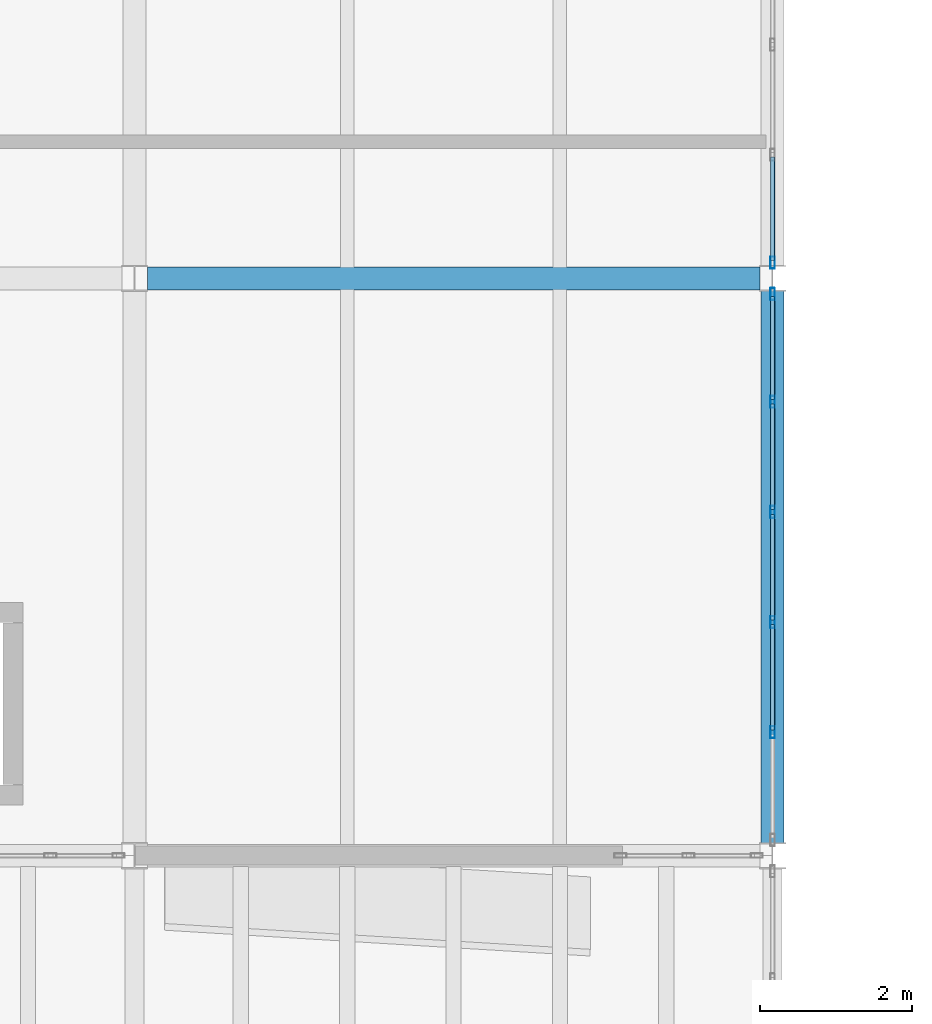
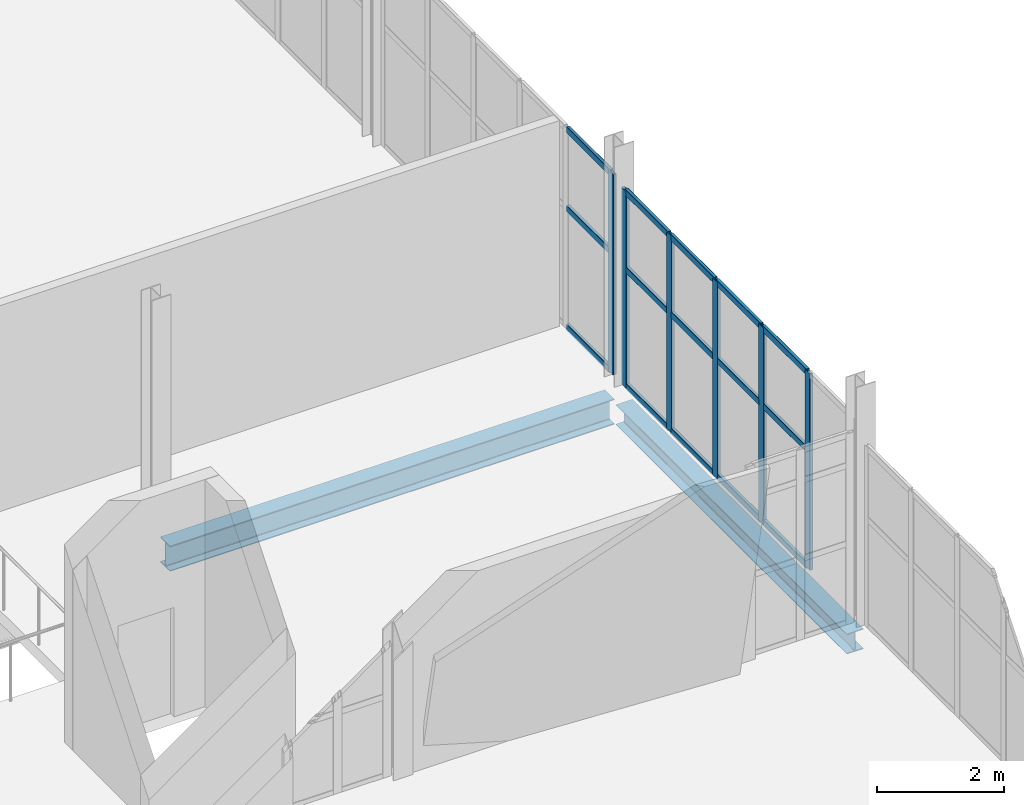
# One storey, part 27 of 136: 21 members, 2 beams, 2 elements without a shape of their own.
"""IFC4 building model written with IfcOpenShell, lengths in metres."""

from ifc_helpers import new_model, si_unit, direction, frame, origin, origin_2d, place, context, subcontext, project, spatial, hollow_rectangle, i_section, extrude, material, material_profile, profile_set, type_object, element, aggregate, save


model = new_model("IFC4")

# Units and contexts
model_context = context("Model", 3, precision=1e-05, world=origin(), true_north=direction((0.0, 1.0)))
body_context = subcontext(model_context, "Body", "Model", "MODEL_VIEW")
ifc_project = project(units=[si_unit("LENGTHUNIT", "METRE"), si_unit("AREAUNIT", "SQUARE_METRE"), si_unit("VOLUMEUNIT", "CUBIC_METRE"), si_unit("PLANEANGLEUNIT", "RADIAN"), si_unit("MASSUNIT", "GRAM", prefix="KILO")], contexts=[model_context])

# Site, building, storey
site_placement = place(None, origin())
site = spatial("IfcSite", under=ifc_project, at=site_placement, CompositionType="ELEMENT")
building_placement = place(site_placement, origin())
building = spatial("IfcBuilding", under=site, at=building_placement, Name="Shengluoqiao Park Theatre", CompositionType="ELEMENT")
storey_placement = place(building_placement, frame((0.0, 0.0, 10.0)))
storey = spatial("IfcBuildingStorey", under=building, at=storey_placement, Name="L02", CompositionType="ELEMENT", Elevation=10.0)

# Curtain wall, members
ifc_material_1 = material(Name="Aluminium 6063-T6", Category="aluminium")
curtain_wall_type = type_object("IfcCurtainWallType", Name="ENV-CW-COURT", PredefinedType="NOTDEFINED", material=ifc_material_1)
curtain_wall_1_placement = place(storey_placement, origin())
curtain_wall_1 = element("IfcCurtainWall", 1, at=curtain_wall_1_placement, inside=storey, type_object=curtain_wall_type, Name="L02 Curtain Wall CWX-L02-0027", PredefinedType="NOTDEFINED")
ifc_material_profile_1 = material_profile(ifc_material_1, hollow_rectangle(XDim=0.06005859375, YDim=0.159912109375, WallThickness=0.00390625, InnerFilletRadius=0.00390625, OuterFilletRadius=0.008056640625, at=origin_2d()), Name="ALU MULLION 160x60x4")
ifc_profile_set_1 = profile_set([ifc_material_profile_1], Name="Aluminium 6063-T6")
member_type_1 = type_object("IfcMemberType", Name="ENV-MUL-160", PredefinedType="MULLION", material=ifc_profile_set_1)
member_1_placement = place(storey_placement, frame((36.0, 32.025634765625, 0.0), z_axis=(0.0, 0.0, 1.0), x_axis=(-1.0, 0.0, 0.0)))
member_1 = element("IfcMember", 2, at=member_1_placement, type_object=member_type_1, Name="CW-05 mullion 2", PredefinedType="MULLION", context=body_context, shape_type="SweptSolid", body=[
    extrude(hollow_rectangle(XDim=0.06005859375, YDim=0.159912109375, WallThickness=0.00390625, InnerFilletRadius=0.00390625, OuterFilletRadius=0.008056640625, at=origin_2d()), origin(), (0.0, 0.0, 1.0), 3.77001953125),
])
member_2_placement = place(storey_placement, frame((36.0, 33.47509765625, 0.0), z_axis=(0.0, 0.0, 1.0), x_axis=(-1.0, 0.0, 0.0)))
member_2 = element("IfcMember", 3, at=member_2_placement, type_object=member_type_1, Name="CW-05 mullion 3", PredefinedType="MULLION", context=body_context, shape_type="SweptSolid", body=[
    extrude(hollow_rectangle(XDim=0.06005859375, YDim=0.159912109375, WallThickness=0.00390625, InnerFilletRadius=0.00390625, OuterFilletRadius=0.008056640625, at=origin_2d()), origin(), (0.0, 0.0, 1.0), 3.77001953125),
])
member_3_placement = place(storey_placement, frame((36.0, 34.9248046875, 0.0), z_axis=(0.0, 0.0, 1.0), x_axis=(-1.0, 0.0, 0.0)))
member_3 = element("IfcMember", 4, at=member_3_placement, type_object=member_type_1, Name="CW-05 mullion 4", PredefinedType="MULLION", context=body_context, shape_type="SweptSolid", body=[
    extrude(hollow_rectangle(XDim=0.06005859375, YDim=0.159912109375, WallThickness=0.00390625, InnerFilletRadius=0.00390625, OuterFilletRadius=0.008056640625, at=origin_2d()), origin(), (0.0, 0.0, 1.0), 3.77001953125),
])
member_4_placement = place(storey_placement, frame((36.0, 36.37451171875, 0.0), z_axis=(0.0, 0.0, 1.0), x_axis=(-1.0, 0.0, 0.0)))
member_4 = element("IfcMember", 5, at=member_4_placement, type_object=member_type_1, Name="CW-05 mullion 5", PredefinedType="MULLION", context=body_context, shape_type="SweptSolid", body=[
    extrude(hollow_rectangle(XDim=0.06005859375, YDim=0.159912109375, WallThickness=0.00390625, InnerFilletRadius=0.00390625, OuterFilletRadius=0.008056640625, at=origin_2d()), origin(), (0.0, 0.0, 1.0), 3.77001953125),
])
member_5_placement = place(storey_placement, frame((36.0, 37.7939453125, 0.0), z_axis=(0.0, 0.0, 1.0), x_axis=(-1.0, 0.0, 0.0)))
member_5 = element("IfcMember", 6, at=member_5_placement, type_object=member_type_1, Name="CW-05 mullion 6", PredefinedType="MULLION", context=body_context, shape_type="SweptSolid", body=[
    extrude(hollow_rectangle(XDim=0.06005859375, YDim=0.159912109375, WallThickness=0.00390625, InnerFilletRadius=0.00390625, OuterFilletRadius=0.008056640625, at=origin_2d()), origin(), (0.0, 0.0, 1.0), 3.77001953125),
])

# Curtain wall, member
curtain_wall_2_placement = place(storey_placement, origin())
curtain_wall_2 = element("IfcCurtainWall", 7, at=curtain_wall_2_placement, inside=storey, type_object=curtain_wall_type, Name="L02 Curtain Wall CWX-L02-0028", PredefinedType="NOTDEFINED")
member_6_placement = place(storey_placement, frame((36.0, 38.2060546875, 0.0), z_axis=(0.0, 0.0, 1.0), x_axis=(-1.0, 0.0, 0.0)))
member_6 = element("IfcMember", 8, at=member_6_placement, type_object=member_type_1, Name="CW-05 mullion 1", PredefinedType="MULLION", context=body_context, shape_type="SweptSolid", body=[
    extrude(hollow_rectangle(XDim=0.06005859375, YDim=0.159912109375, WallThickness=0.00390625, InnerFilletRadius=0.00390625, OuterFilletRadius=0.008056640625, at=origin_2d()), origin(), (0.0, 0.0, 1.0), 3.85009765625),
])

# Member
ifc_material_profile_2 = material_profile(ifc_material_1, hollow_rectangle(XDim=0.06005859375, YDim=0.1201171875, WallThickness=0.00390625, InnerFilletRadius=0.00390625, OuterFilletRadius=0.008056640625, at=origin_2d()), Name="ALU TRANSOM 120x60x4")
ifc_profile_set_2 = profile_set([ifc_material_profile_2], Name="Aluminium 6063-T6")
member_type_2 = type_object("IfcMemberType", Name="ENV-TRN-120", PredefinedType="USERDEFINED", material=ifc_profile_set_2)
member_7_placement = place(storey_placement, frame((36.0, 32.0556640625, 0.030029296875), z_axis=(0.0, 1.0, 0.0), x_axis=(-1.0, 0.0, 0.0)))
member_7 = element("IfcMember", 9, at=member_7_placement, type_object=member_type_2, Name="CW-05 transom 2.1", ObjectType="TRANSOM", PredefinedType="USERDEFINED", context=body_context, shape_type="SweptSolid", body=[
    extrude(hollow_rectangle(XDim=0.06005859375, YDim=0.1201171875, WallThickness=0.00390625, InnerFilletRadius=0.00390625, OuterFilletRadius=0.008056640625, at=origin_2d()), origin(), (0.0, 0.0, 1.0), 1.3896484375),
])

member_8_placement = place(storey_placement, frame((36.0, 32.0556640625, 2.261962890625), z_axis=(0.0, 1.0, 0.0), x_axis=(-1.0, 0.0, 0.0)))
member_8 = element("IfcMember", 10, at=member_8_placement, type_object=member_type_2, Name="CW-05 transom 2.2", ObjectType="TRANSOM", PredefinedType="USERDEFINED", context=body_context, shape_type="SweptSolid", body=[
    extrude(hollow_rectangle(XDim=0.06005859375, YDim=0.1201171875, WallThickness=0.00390625, InnerFilletRadius=0.00390625, OuterFilletRadius=0.008056640625, at=origin_2d()), origin(), (0.0, 0.0, 1.0), 1.3896484375),
])

member_9_placement = place(storey_placement, frame((36.0, 32.0556640625, 3.739990234375), z_axis=(0.0, 1.0, 0.0), x_axis=(-1.0, 0.0, 0.0)))
member_9 = element("IfcMember", 11, at=member_9_placement, type_object=member_type_2, Name="CW-05 transom 2.3", ObjectType="TRANSOM", PredefinedType="USERDEFINED", context=body_context, shape_type="SweptSolid", body=[
    extrude(hollow_rectangle(XDim=0.06005859375, YDim=0.1201171875, WallThickness=0.00390625, InnerFilletRadius=0.00390625, OuterFilletRadius=0.008056640625, at=origin_2d()), origin(), (0.0, 0.0, 1.0), 1.3896484375),
])

member_10_placement = place(storey_placement, frame((36.0, 33.505126953125, 0.030029296875), z_axis=(0.0, 1.0, 0.0), x_axis=(-1.0, 0.0, 0.0)))
member_10 = element("IfcMember", 12, at=member_10_placement, type_object=member_type_2, Name="CW-05 transom 3.1", ObjectType="TRANSOM", PredefinedType="USERDEFINED", context=body_context, shape_type="SweptSolid", body=[
    extrude(hollow_rectangle(XDim=0.06005859375, YDim=0.1201171875, WallThickness=0.00390625, InnerFilletRadius=0.00390625, OuterFilletRadius=0.008056640625, at=origin_2d()), origin(), (0.0, 0.0, 1.0), 1.3896484375),
])

member_11_placement = place(storey_placement, frame((36.0, 33.505126953125, 2.261962890625), z_axis=(0.0, 1.0, 0.0), x_axis=(-1.0, 0.0, 0.0)))
member_11 = element("IfcMember", 13, at=member_11_placement, type_object=member_type_2, Name="CW-05 transom 3.2", ObjectType="TRANSOM", PredefinedType="USERDEFINED", context=body_context, shape_type="SweptSolid", body=[
    extrude(hollow_rectangle(XDim=0.06005859375, YDim=0.1201171875, WallThickness=0.00390625, InnerFilletRadius=0.00390625, OuterFilletRadius=0.008056640625, at=origin_2d()), origin(), (0.0, 0.0, 1.0), 1.3896484375),
])

member_12_placement = place(storey_placement, frame((36.0, 33.505126953125, 3.739990234375), z_axis=(0.0, 1.0, 0.0), x_axis=(-1.0, 0.0, 0.0)))
member_12 = element("IfcMember", 14, at=member_12_placement, type_object=member_type_2, Name="CW-05 transom 3.3", ObjectType="TRANSOM", PredefinedType="USERDEFINED", context=body_context, shape_type="SweptSolid", body=[
    extrude(hollow_rectangle(XDim=0.06005859375, YDim=0.1201171875, WallThickness=0.00390625, InnerFilletRadius=0.00390625, OuterFilletRadius=0.008056640625, at=origin_2d()), origin(), (0.0, 0.0, 1.0), 1.3896484375),
])

member_13_placement = place(storey_placement, frame((36.0, 34.954833984375, 0.030029296875), z_axis=(0.0, 1.0, 0.0), x_axis=(-1.0, 0.0, 0.0)))
member_13 = element("IfcMember", 15, at=member_13_placement, type_object=member_type_2, Name="CW-05 transom 4.1", ObjectType="TRANSOM", PredefinedType="USERDEFINED", context=body_context, shape_type="SweptSolid", body=[
    extrude(hollow_rectangle(XDim=0.06005859375, YDim=0.1201171875, WallThickness=0.00390625, InnerFilletRadius=0.00390625, OuterFilletRadius=0.008056640625, at=origin_2d()), origin(), (0.0, 0.0, 1.0), 1.3896484375),
])

member_14_placement = place(storey_placement, frame((36.0, 34.954833984375, 2.261962890625), z_axis=(0.0, 1.0, 0.0), x_axis=(-1.0, 0.0, 0.0)))
member_14 = element("IfcMember", 16, at=member_14_placement, type_object=member_type_2, Name="CW-05 transom 4.2", ObjectType="TRANSOM", PredefinedType="USERDEFINED", context=body_context, shape_type="SweptSolid", body=[
    extrude(hollow_rectangle(XDim=0.06005859375, YDim=0.1201171875, WallThickness=0.00390625, InnerFilletRadius=0.00390625, OuterFilletRadius=0.008056640625, at=origin_2d()), origin(), (0.0, 0.0, 1.0), 1.3896484375),
])

member_15_placement = place(storey_placement, frame((36.0, 34.954833984375, 3.739990234375), z_axis=(0.0, 1.0, 0.0), x_axis=(-1.0, 0.0, 0.0)))
member_15 = element("IfcMember", 17, at=member_15_placement, type_object=member_type_2, Name="CW-05 transom 4.3", ObjectType="TRANSOM", PredefinedType="USERDEFINED", context=body_context, shape_type="SweptSolid", body=[
    extrude(hollow_rectangle(XDim=0.06005859375, YDim=0.1201171875, WallThickness=0.00390625, InnerFilletRadius=0.00390625, OuterFilletRadius=0.008056640625, at=origin_2d()), origin(), (0.0, 0.0, 1.0), 1.3896484375),
])

member_16_placement = place(storey_placement, frame((36.0, 36.404296875, 0.030029296875), z_axis=(0.0, 1.0, 0.0), x_axis=(-1.0, 0.0, 0.0)))
member_16 = element("IfcMember", 18, at=member_16_placement, type_object=member_type_2, Name="CW-05 transom 5.1", ObjectType="TRANSOM", PredefinedType="USERDEFINED", context=body_context, shape_type="SweptSolid", body=[
    extrude(hollow_rectangle(XDim=0.06005859375, YDim=0.1201171875, WallThickness=0.00390625, InnerFilletRadius=0.00390625, OuterFilletRadius=0.008056640625, at=origin_2d()), origin(), (0.0, 0.0, 1.0), 1.359619140625),
])

member_17_placement = place(storey_placement, frame((36.0, 36.404296875, 2.261962890625), z_axis=(0.0, 1.0, 0.0), x_axis=(-1.0, 0.0, 0.0)))
member_17 = element("IfcMember", 19, at=member_17_placement, type_object=member_type_2, Name="CW-05 transom 5.2", ObjectType="TRANSOM", PredefinedType="USERDEFINED", context=body_context, shape_type="SweptSolid", body=[
    extrude(hollow_rectangle(XDim=0.06005859375, YDim=0.1201171875, WallThickness=0.00390625, InnerFilletRadius=0.00390625, OuterFilletRadius=0.008056640625, at=origin_2d()), origin(), (0.0, 0.0, 1.0), 1.359619140625),
])

member_18_placement = place(storey_placement, frame((36.0, 36.404296875, 3.739990234375), z_axis=(0.0, 1.0, 0.0), x_axis=(-1.0, 0.0, 0.0)))
member_18 = element("IfcMember", 20, at=member_18_placement, type_object=member_type_2, Name="CW-05 transom 5.3", ObjectType="TRANSOM", PredefinedType="USERDEFINED", context=body_context, shape_type="SweptSolid", body=[
    extrude(hollow_rectangle(XDim=0.06005859375, YDim=0.1201171875, WallThickness=0.00390625, InnerFilletRadius=0.00390625, OuterFilletRadius=0.008056640625, at=origin_2d()), origin(), (0.0, 0.0, 1.0), 1.359619140625),
])

aggregate(curtain_wall_1, [member_1, member_2, member_3, member_4, member_5, member_7, member_8, member_9, member_10, member_11, member_12, member_13, member_14, member_15, member_16, member_17, member_18])

member_19_placement = place(storey_placement, frame((36.0, 38.236083984375, 0.030029296875), z_axis=(0.0, 1.0, 0.0), x_axis=(-1.0, 0.0, 0.0)))
member_19 = element("IfcMember", 21, at=member_19_placement, type_object=member_type_2, Name="CW-05 transom 1.1", ObjectType="TRANSOM", PredefinedType="USERDEFINED", context=body_context, shape_type="SweptSolid", body=[
    extrude(hollow_rectangle(XDim=0.06005859375, YDim=0.1201171875, WallThickness=0.00390625, InnerFilletRadius=0.00390625, OuterFilletRadius=0.008056640625, at=origin_2d()), origin(), (0.0, 0.0, 1.0), 1.359619140625),
])

member_20_placement = place(storey_placement, frame((36.0, 38.236083984375, 2.31005859375), z_axis=(0.0, 1.0, 0.0), x_axis=(-1.0, 0.0, 0.0)))
member_20 = element("IfcMember", 22, at=member_20_placement, type_object=member_type_2, Name="CW-05 transom 1.2", ObjectType="TRANSOM", PredefinedType="USERDEFINED", context=body_context, shape_type="SweptSolid", body=[
    extrude(hollow_rectangle(XDim=0.06005859375, YDim=0.1201171875, WallThickness=0.00390625, InnerFilletRadius=0.00390625, OuterFilletRadius=0.008056640625, at=origin_2d()), origin(), (0.0, 0.0, 1.0), 1.359619140625),
])

member_21_placement = place(storey_placement, frame((36.0, 38.236083984375, 3.820068359375), z_axis=(0.0, 1.0, 0.0), x_axis=(-1.0, 0.0, 0.0)))
member_21 = element("IfcMember", 23, at=member_21_placement, type_object=member_type_2, Name="CW-05 transom 1.3", ObjectType="TRANSOM", PredefinedType="USERDEFINED", context=body_context, shape_type="SweptSolid", body=[
    extrude(hollow_rectangle(XDim=0.06005859375, YDim=0.1201171875, WallThickness=0.00390625, InnerFilletRadius=0.00390625, OuterFilletRadius=0.008056640625, at=origin_2d()), origin(), (0.0, 0.0, 1.0), 1.359619140625),
])

aggregate(curtain_wall_2, [member_6, member_19, member_20, member_21])

# Beams
ifc_material_2 = material(Name="Steel Q355", Category="steel")
ifc_material_profile_3 = material_profile(ifc_material_2, i_section(OverallWidth=0.300048828125, OverallDepth=0.389892578125, WebThickness=0.010009765625, FlangeThickness=0.01611328125, FilletRadius=0.01806640625, at=origin_2d()), Name="HM 390x300x10x16")
ifc_profile_set_3 = profile_set([ifc_material_profile_3], Name="Steel Q355")
beam_type_1 = type_object("IfcBeamType", Name="STR-BM-G-HM390", PredefinedType="BEAM", material=ifc_profile_set_3)
beam_1_placement = place(storey_placement, frame((36.0, 30.569091796875, -0.534912109375), z_axis=(0.0, 1.0, 0.0), x_axis=(-1.0, 0.0, 0.0)))
element("IfcBeam", 24, at=beam_1_placement, inside=storey, type_object=beam_type_1, Name="L02 Transverse Girder 00883", PredefinedType="BEAM", context=body_context, shape_type="SweptSolid", body=[
    extrude(i_section(OverallWidth=0.300048828125, OverallDepth=0.389892578125, WebThickness=0.010009765625, FlangeThickness=0.01611328125, FilletRadius=0.01806640625, at=origin_2d()), origin(), (0.0, 0.0, 1.0), 7.261962890625),
])
ifc_material_profile_4 = material_profile(ifc_material_2, i_section(OverallWidth=0.300048828125, OverallDepth=0.488037109375, WebThickness=0.010986328125, FlangeThickness=0.01806640625, FilletRadius=0.02197265625, at=origin_2d()), Name="HM 488x300x11x18")
ifc_profile_set_4 = profile_set([ifc_material_profile_4], Name="Steel Q355")
beam_type_2 = type_object("IfcBeamType", Name="STR-BM-G-HM488", PredefinedType="BEAM", material=ifc_profile_set_4)
beam_2_placement = place(storey_placement, frame((27.76904296875, 38.0, -0.48388671875), z_axis=(1.0, 0.0, 0.0), x_axis=(0.0, 1.0, 0.0)))
element("IfcBeam", 25, at=beam_2_placement, inside=storey, type_object=beam_type_2, Name="L02 Primary Girder 00877", PredefinedType="BEAM", context=body_context, shape_type="SweptSolid", body=[
    extrude(i_section(OverallWidth=0.300048828125, OverallDepth=0.488037109375, WebThickness=0.010986328125, FlangeThickness=0.01806640625, FilletRadius=0.02197265625, at=origin_2d()), origin(), (0.0, 0.0, 1.0), 8.06201171875),
])

save(model, "model.ifc")
